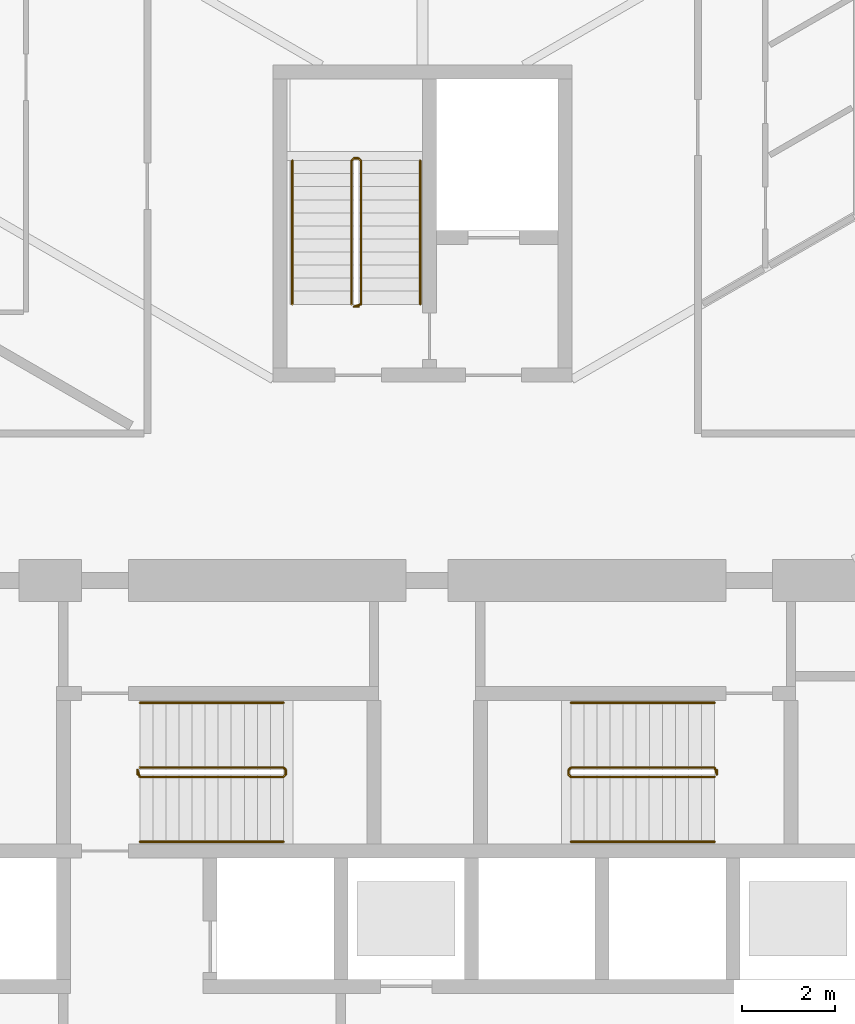
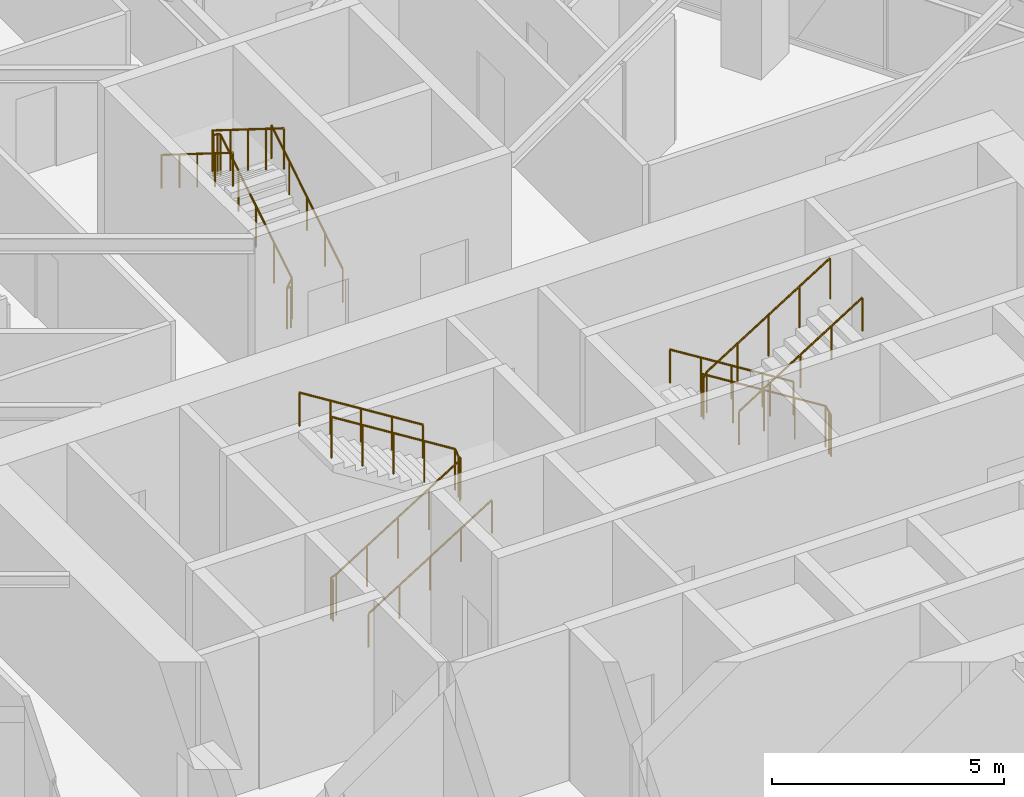
# One storey, part 22 of 23: 9 railings.
"""IFC4 building model written with IfcOpenShell, lengths in metres."""

import ifcopenshell
import ifcopenshell.guid

model = None  # the IFC model being written
_history = None  # IfcOwnerHistory: only IFC2X3 demands one
_inside = {}  # id of a spatial element -> (the spatial element, [elements in it])
_under = {}  # id of a project, library or spatial element -> (it, [spatial elements below it])
_declared = {}  # id of a project -> (the project, [libraries it declares])
_typed = {}  # id of a type object -> (the type object, [elements of that type])
_made_of = {}  # id of a material, layer set ... -> (it, [elements and type objects made of it])


def new_model(schema):
    """Start an empty IFC model of exactly this schema.

    Asked for "IFC4X3", IfcOpenShell would pick the latest addendum, in which some entities
    have other attributes; the version numbers below select the first issue.
    IFC2X3 requires an IfcOwnerHistory on every rooted entity: one is made here for all.
    """
    global model, _history
    if schema == "IFC4X3":
        model = ifcopenshell.file(schema_version=(4, 3, 0, 0))
    else:
        model = ifcopenshell.file(schema=schema)
    _inside.clear()
    _under.clear()
    _declared.clear()
    _typed.clear()
    _made_of.clear()
    _history = None
    if model.schema == "IFC2X3":
        org = make("IfcOrganization", Name="unknown")
        user = make(
            "IfcPersonAndOrganization",
            ThePerson=make("IfcPerson", FamilyName="unknown"),
            TheOrganization=org,
        )
        app = make(
            "IfcApplication",
            ApplicationDeveloper=org,
            Version="unknown",
            ApplicationFullName="unknown",
            ApplicationIdentifier="unknown",
        )
        _history = make(
            "IfcOwnerHistory",
            OwningUser=user,
            OwningApplication=app,
            ChangeAction="ADDED",
            CreationDate=0,
        )
    return model


def make(cls, **values):
    """One entity of the class cls with the attributes given. An attribute that is None is left unset."""
    return model.create_entity(
        cls, **{name: value for name, value in values.items() if value is not None}
    )


def rooted(cls, **values):
    """An entity with a GlobalId (a new one), such as an element, a storey or a relation."""
    return make(cls, GlobalId=ifcopenshell.guid.new(), OwnerHistory=_history, **values)


def si_unit(unit_type, name, prefix=None):
    """IfcSIUnit, for example si_unit("LENGTHUNIT", "METRE", prefix="MILLI")."""
    return make("IfcSIUnit", UnitType=unit_type, Prefix=prefix, Name=name)


def assignment(units):
    """IfcUnitAssignment: the units of a project."""
    return None if units is None else make("IfcUnitAssignment", Units=units)


def point(xyz):
    """IfcCartesianPoint."""
    return None if xyz is None else make("IfcCartesianPoint", Coordinates=xyz)


def direction(xyz):
    """IfcDirection."""
    return None if xyz is None else make("IfcDirection", DirectionRatios=xyz)


def frame(location, z_axis=None, x_axis=None):
    """IfcAxis2Placement3D, a coordinate frame: its origin and axes. An axis left out is left unset."""
    return make(
        "IfcAxis2Placement3D",
        Location=point(location),
        Axis=direction(z_axis),
        RefDirection=direction(x_axis),
    )


def frame_2d(location, x_axis=None):
    """IfcAxis2Placement2D, a coordinate frame in the plane: its origin and x axis."""
    return make(
        "IfcAxis2Placement2D", Location=point(location), RefDirection=direction(x_axis)
    )


def origin():
    """The frame at (0, 0, 0) with its axes left unset."""
    return frame((0.0, 0.0, 0.0))


def origin_2d():
    """The frame at (0, 0) in the plane with its x axis left unset."""
    return frame_2d((0.0, 0.0))


def place(relative_to, where):
    """IfcLocalPlacement: puts the frame where relative to a parent placement (None: the world)."""
    return make(
        "IfcLocalPlacement", PlacementRelTo=relative_to, RelativePlacement=where
    )


def context(
    kind, dimensions, precision=None, world=None, true_north=None, identifier=None
):
    """IfcGeometricRepresentationContext, for example the 3D "Model" context."""
    return make(
        "IfcGeometricRepresentationContext",
        ContextIdentifier=identifier,
        ContextType=kind,
        CoordinateSpaceDimension=dimensions,
        Precision=precision,
        WorldCoordinateSystem=world,
        TrueNorth=true_north,
    )


def subcontext(parent, identifier, kind, view, scale=None):
    """IfcGeometricRepresentationSubContext, for example "Body" below "Model"."""
    return make(
        "IfcGeometricRepresentationSubContext",
        ContextIdentifier=identifier,
        ContextType=kind,
        ParentContext=parent,
        TargetScale=scale,
        TargetView=view,
    )


def project(units=None, contexts=None):
    """IfcProject with its units and contexts."""
    return rooted(
        "IfcProject",
        Name="project",
        RepresentationContexts=contexts,
        UnitsInContext=assignment(units),
    )


def spatial(cls, under=None, at=None, **own):
    """A site, building, storey or space (cls), placed at a placement, below another one or the project."""
    s = rooted(cls, ObjectPlacement=at, **own)
    if under is not None:
        _under.setdefault(under.id(), (under, []))[1].append(s)
    return s


def profile(cls, at=None, kind="AREA", **sizes):
    """A parametric profile (cls). Its sizes go by their IFC names, for example OverallWidth=200.0."""
    return make(cls, ProfileType=kind, Position=at, **sizes)


def circle(**sizes):
    """IfcCircleProfileDef."""
    return profile("IfcCircleProfileDef", **sizes)


def extrude(swept, where, along, depth):
    """IfcExtrudedAreaSolid: the profile swept, set in the frame where, extruded along a direction by depth."""
    return make(
        "IfcExtrudedAreaSolid",
        SweptArea=swept,
        Position=where,
        ExtrudedDirection=direction(along),
        Depth=depth,
    )


def shape(context_of_items, identifier, shape_type, items):
    """IfcShapeRepresentation: the items that make up one representation, for example the "Body"."""
    return make(
        "IfcShapeRepresentation",
        ContextOfItems=context_of_items,
        RepresentationIdentifier=identifier,
        RepresentationType=shape_type,
        Items=items,
    )


def material(Name=None, Category=None):
    """IfcMaterial."""
    return make("IfcMaterial", Name=Name, Category=Category)


def made_of(thing, what):
    """Note that an element or type object is made of a material, layer set ...; save() writes the relation."""
    if what is not None:
        _made_of.setdefault(what.id(), (what, []))[1].append(thing)
    return thing


def type_object(cls, material=None, **own):
    """A type object (cls), such as IfcWallType, which elements share."""
    return made_of(rooted(cls, **own), material)


def element(
    cls,
    number,
    at=None,
    inside=None,
    cuts=None,
    type_object=None,
    material=None,
    context=None,
    identifier="Body",
    shape_type=None,
    held_by="IfcProductDefinitionShape",
    body=None,
    shapes=None,
    **own,
):
    """One element of the class cls, such as IfcWall. Its Tag is "e" and its number.

    at: its placement. inside: the storey or other place that contains it. cuts: it is an
    opening in that element (IfcRelVoidsElement). A single representation is given by context,
    identifier, shape_type and body (its items); several are given by shapes. held_by: the class
    of the entity that holds the representations. save() writes the other relations.
    """
    e = rooted(cls, Tag="e%d" % number, ObjectPlacement=at, **own)
    if body is not None:
        shapes = [shape(context, identifier, shape_type, body)]
    if shapes is not None:
        e.Representation = make(held_by, Representations=shapes)
    if inside is not None:
        _inside.setdefault(inside.id(), (inside, []))[1].append(e)
    if cuts is not None:
        rooted(
            "IfcRelVoidsElement", RelatingBuildingElement=cuts, RelatedOpeningElement=e
        )
    if type_object is not None:
        _typed.setdefault(type_object.id(), (type_object, []))[1].append(e)
    return made_of(e, material)


def aggregate(whole, parts):
    """IfcRelAggregates: a whole, such as a stair, and the parts it consists of."""
    return rooted("IfcRelAggregates", RelatingObject=whole, RelatedObjects=parts)


def save(model, path):
    """Write the relations noted so far, then the file.

    IfcRelAggregates (storeys below a building ...), IfcRelContainedInSpatialStructure (elements
    in a storey), IfcRelDefinesByType, IfcRelAssociatesMaterial and IfcRelDeclares: one each for
    every whole, place, type object, material and project.
    """
    for whole, parts in _under.values():
        aggregate(whole, parts)
    for where, things in _inside.values():
        rooted(
            "IfcRelContainedInSpatialStructure",
            RelatedElements=things,
            RelatingStructure=where,
        )
    for kind, things in _typed.values():
        rooted("IfcRelDefinesByType", RelatedObjects=things, RelatingType=kind)
    for what, things in _made_of.values():
        rooted("IfcRelAssociatesMaterial", RelatedObjects=things, RelatingMaterial=what)
    for by, libraries in _declared.values():
        rooted("IfcRelDeclares", RelatingContext=by, RelatedDefinitions=libraries)
    model.write(path)


model = new_model("IFC4")

# Units and contexts
model_context = context("Model", 3, precision=1e-05, world=origin(), true_north=direction((0.0, 1.0)))
body_context = subcontext(model_context, "Body", "Model", "MODEL_VIEW")
ifc_project = project(units=[si_unit("LENGTHUNIT", "METRE"), si_unit("AREAUNIT", "SQUARE_METRE"), si_unit("VOLUMEUNIT", "CUBIC_METRE"), si_unit("PLANEANGLEUNIT", "RADIAN"), si_unit("MASSUNIT", "GRAM", prefix="KILO")], contexts=[model_context])

# Site, building, storey
site_placement = place(None, origin())
site = spatial("IfcSite", under=ifc_project, at=site_placement, CompositionType="ELEMENT")
building_placement = place(site_placement, origin())
building = spatial("IfcBuilding", under=site, at=building_placement, Name="Firuza Gate Tower and Library", CompositionType="ELEMENT")
storey_placement = place(building_placement, frame((0.0, 0.0, 56.800048828125)))
storey = spatial("IfcBuildingStorey", under=building, at=storey_placement, Name="L12", CompositionType="ELEMENT", Elevation=56.800048828125)

# Railings
ifc_material_1 = material(Name="Steel S355", Category="steel")
railing_type_1 = type_object("IfcRailingType", Name="Stair guard 1100", PredefinedType="GUARDRAIL", material=ifc_material_1)
railing_1_placement = place(storey_placement, frame((68.889892578125, 79.389892578125, 0.0)))
element("IfcRailing", 1, at=railing_1_placement, inside=storey, type_object=railing_type_1, Name="L12 ST1 stair guard 1", PredefinedType="GUARDRAIL", context=body_context, shape_type="SweptSolid", body=[
    extrude(circle(Radius=0.02392578125, at=origin_2d()), frame((0.0, 0.0, 1.076171875), z_axis=(0.0, 1.0, 0.0), x_axis=(-1.0, 0.0, 0.0)), (0.0, 0.0, 1.0), 0.10009765625),
    extrude(circle(Radius=0.02392578125, at=origin_2d()), frame((0.0, 0.10009765625, 1.076171875), z_axis=(0.21222055169, -0.635626432867, 0.742254319813), x_axis=(0.948528701346, 0.316691178788, 0.0)), (0.0, 0.0, 1.0), 0.23583984375),
    extrude(circle(Radius=0.02392578125, at=origin_2d()), frame((0.050048828125, -0.0498046875, 1.2509765625), z_axis=(0.848028513186, 0.0, 0.529950602248), x_axis=(0.0, 1.0, 0.0)), (0.0, 0.0, 1.0), 3.632080078125),
    extrude(circle(Radius=0.02392578125, at=origin_2d()), frame((3.130126953125, -0.0498046875, 3.17578125), z_axis=(0.708833529934, 0.705375805398, 0.0), x_axis=(-0.705375805398, 0.708833529934, 0.0)), (0.0, 0.0, 1.0), 0.070556640625),
    extrude(circle(Radius=0.02392578125, at=origin_2d()), frame((3.18017578125, 0.0, 3.17578125), z_axis=(0.0, 1.0, 0.0), x_axis=(-1.0, 0.0, 0.0)), (0.0, 0.0, 1.0), 0.10009765625),
    extrude(circle(Radius=0.02392578125, at=origin_2d()), frame((3.18017578125, 0.10009765625, 3.17578125), z_axis=(-0.265065253269, 0.265065253269, 0.927081885822), x_axis=(-0.707106781187, -0.707106781187, 0.0)), (0.0, 0.0, 1.0), 0.188720703125),
    extrude(circle(Radius=0.02392578125, at=origin_2d()), frame((3.130126953125, 0.150146484375, 3.35107421875), z_axis=(-0.847998304005, 0.0, 0.529998940003), x_axis=(0.0, -1.0, 0.0)), (0.0, 0.0, 1.0), 3.632080078125),
    extrude(circle(Radius=0.02099609375, at=origin_2d()), origin(), (0.0, 0.0, 1.0), 1.052001953125),
    extrude(circle(Radius=0.02099609375, at=origin_2d()), frame((0.0, 0.10009765625, 0.0)), (0.0, 0.0, 1.0), 1.052001953125),
    extrude(circle(Radius=0.02099609375, at=origin_2d()), frame((0.050048828125, -0.0498046875, 0.175048828125)), (0.0, 0.0, 1.0), 1.052001953125),
    extrude(circle(Radius=0.02099609375, at=origin_2d()), frame((0.820068359375, -0.0498046875, 0.65625)), (0.0, 0.0, 1.0), 1.052001953125),
    extrude(circle(Radius=0.02099609375, at=origin_2d()), frame((1.590087890625, -0.0498046875, 1.137451171875)), (0.0, 0.0, 1.0), 1.052001953125),
    extrude(circle(Radius=0.02099609375, at=origin_2d()), frame((2.360107421875, -0.0498046875, 1.61865234375)), (0.0, 0.0, 1.0), 1.052001953125),
    extrude(circle(Radius=0.02099609375, at=origin_2d()), frame((3.130126953125, -0.0498046875, 2.099853515625)), (0.0, 0.0, 1.0), 1.052001953125),
    extrude(circle(Radius=0.02099609375, at=origin_2d()), frame((3.18017578125, 0.0, 2.099853515625)), (0.0, 0.0, 1.0), 1.052001953125),
    extrude(circle(Radius=0.02099609375, at=origin_2d()), frame((3.18017578125, 0.10009765625, 2.099853515625)), (0.0, 0.0, 1.0), 1.052001953125),
    extrude(circle(Radius=0.02099609375, at=origin_2d()), frame((3.130126953125, 0.150146484375, 2.27490234375)), (0.0, 0.0, 1.0), 1.052001953125),
    extrude(circle(Radius=0.02099609375, at=origin_2d()), frame((2.360107421875, 0.150146484375, 2.756103515625)), (0.0, 0.0, 1.0), 1.052001953125),
    extrude(circle(Radius=0.02099609375, at=origin_2d()), frame((1.590087890625, 0.150146484375, 3.2373046875)), (0.0, 0.0, 1.0), 1.052001953125),
    extrude(circle(Radius=0.02099609375, at=origin_2d()), frame((0.820068359375, 0.150146484375, 3.71875)), (0.0, 0.0, 1.0), 1.052001953125),
    extrude(circle(Radius=0.02099609375, at=origin_2d()), frame((0.050048828125, 0.150146484375, 4.199951171875)), (0.0, 0.0, 1.0), 1.052001953125),
])
railing_2_placement = place(storey_placement, frame((81.31005859375, 79.489990234375, 0.0)))
element("IfcRailing", 2, at=railing_2_placement, inside=storey, type_object=railing_type_1, Name="L12 ST2 stair guard 1", PredefinedType="GUARDRAIL", context=body_context, shape_type="SweptSolid", body=[
    extrude(circle(Radius=0.02392578125, at=origin_2d()), frame((0.0, 0.0, 1.076171875), z_axis=(0.0, -1.0, 0.0), x_axis=(1.0, 0.0, 0.0)), (0.0, 0.0, 1.0), 0.10009765625),
    extrude(circle(Radius=0.02392578125, at=origin_2d()), frame((0.0, -0.10009765625, 1.076171875), z_axis=(-0.212080931658, 0.636242794973, 0.741765990237), x_axis=(-0.948683298051, -0.316227766017, 0.0)), (0.0, 0.0, 1.0), 0.236083984375),
    extrude(circle(Radius=0.02392578125, at=origin_2d()), frame((-0.050048828125, 0.050048828125, 1.2509765625), z_axis=(-0.848028513186, 0.0, 0.529950602248), x_axis=(0.0, -1.0, 0.0)), (0.0, 0.0, 1.0), 3.632080078125),
    extrude(circle(Radius=0.02392578125, at=origin_2d()), frame((-3.130126953125, 0.050048828125, 3.17578125), z_axis=(-0.707106781187, -0.707106781187, 0.0), x_axis=(0.707106781187, -0.707106781187, 0.0)), (0.0, 0.0, 1.0), 0.07080078125),
    extrude(circle(Radius=0.02392578125, at=origin_2d()), frame((-3.18017578125, 0.0, 3.17578125), z_axis=(0.0, -1.0, 0.0), x_axis=(1.0, 0.0, 0.0)), (0.0, 0.0, 1.0), 0.10009765625),
    extrude(circle(Radius=0.02392578125, at=origin_2d()), frame((-3.18017578125, -0.10009765625, 3.17578125), z_axis=(0.265155923931, -0.263862480399, 0.927399011991), x_axis=(0.705375805398, 0.708833529934, 0.0)), (0.0, 0.0, 1.0), 0.188720703125),
    extrude(circle(Radius=0.02392578125, at=origin_2d()), frame((-3.130126953125, -0.14990234375, 3.35107421875), z_axis=(0.847998304005, 0.0, 0.529998940003), x_axis=(0.0, 1.0, 0.0)), (0.0, 0.0, 1.0), 3.632080078125),
    extrude(circle(Radius=0.02099609375, at=origin_2d()), origin(), (0.0, 0.0, 1.0), 1.052001953125),
    extrude(circle(Radius=0.02099609375, at=origin_2d()), frame((0.0, -0.10009765625, 0.0)), (0.0, 0.0, 1.0), 1.052001953125),
    extrude(circle(Radius=0.02099609375, at=origin_2d()), frame((-0.050048828125, 0.050048828125, 0.175048828125)), (0.0, 0.0, 1.0), 1.052001953125),
    extrude(circle(Radius=0.02099609375, at=origin_2d()), frame((-0.820068359375, 0.050048828125, 0.65625)), (0.0, 0.0, 1.0), 1.052001953125),
    extrude(circle(Radius=0.02099609375, at=origin_2d()), frame((-1.590087890625, 0.050048828125, 1.137451171875)), (0.0, 0.0, 1.0), 1.052001953125),
    extrude(circle(Radius=0.02099609375, at=origin_2d()), frame((-2.360107421875, 0.050048828125, 1.61865234375)), (0.0, 0.0, 1.0), 1.052001953125),
    extrude(circle(Radius=0.02099609375, at=origin_2d()), frame((-3.130126953125, 0.050048828125, 2.099853515625)), (0.0, 0.0, 1.0), 1.052001953125),
    extrude(circle(Radius=0.02099609375, at=origin_2d()), frame((-3.18017578125, 0.0, 2.099853515625)), (0.0, 0.0, 1.0), 1.052001953125),
    extrude(circle(Radius=0.02099609375, at=origin_2d()), frame((-3.18017578125, -0.10009765625, 2.099853515625)), (0.0, 0.0, 1.0), 1.052001953125),
    extrude(circle(Radius=0.02099609375, at=origin_2d()), frame((-3.130126953125, -0.14990234375, 2.27490234375)), (0.0, 0.0, 1.0), 1.052001953125),
    extrude(circle(Radius=0.02099609375, at=origin_2d()), frame((-2.360107421875, -0.14990234375, 2.756103515625)), (0.0, 0.0, 1.0), 1.052001953125),
    extrude(circle(Radius=0.02099609375, at=origin_2d()), frame((-1.590087890625, -0.14990234375, 3.2373046875)), (0.0, 0.0, 1.0), 1.052001953125),
    extrude(circle(Radius=0.02099609375, at=origin_2d()), frame((-0.820068359375, -0.14990234375, 3.71875)), (0.0, 0.0, 1.0), 1.052001953125),
    extrude(circle(Radius=0.02099609375, at=origin_2d()), frame((-0.050048828125, -0.14990234375, 4.199951171875)), (0.0, 0.0, 1.0), 1.052001953125),
])
railing_3_placement = place(storey_placement, frame((73.6298828125, 89.419921875, 0.0)))
element("IfcRailing", 3, at=railing_3_placement, inside=storey, type_object=railing_type_1, Name="L12 ST3 stair guard 1", PredefinedType="GUARDRAIL", context=body_context, shape_type="SweptSolid", body=[
    extrude(circle(Radius=0.02392578125, at=origin_2d()), frame((0.0, 0.0, 1.076171875), z_axis=(-1.0, 0.0, 0.0), x_axis=(0.0, -1.0, 0.0)), (0.0, 0.0, 1.0), 0.099853515625),
    extrude(circle(Radius=0.02392578125, at=origin_2d()), frame((-0.099853515625, 0.0, 1.076171875), z_axis=(0.635626432867, 0.21222055169, 0.742254319813), x_axis=(-0.316691178788, 0.948528701346, 0.0)), (0.0, 0.0, 1.0), 0.23583984375),
    extrude(circle(Radius=0.02392578125, at=origin_2d()), frame((0.050048828125, 0.050048828125, 1.2509765625), z_axis=(0.0, 0.848028513186, 0.529950602248), x_axis=(-1.0, 0.0, 0.0)), (0.0, 0.0, 1.0), 3.632080078125),
    extrude(circle(Radius=0.02392578125, at=origin_2d()), frame((0.050048828125, 3.130126953125, 3.17578125), z_axis=(-0.707106781187, 0.707106781187, 0.0), x_axis=(-0.707106781187, -0.707106781187, 0.0)), (0.0, 0.0, 1.0), 0.07080078125),
    extrude(circle(Radius=0.02392578125, at=origin_2d()), frame((0.0, 3.18017578125, 3.17578125), z_axis=(-1.0, 0.0, 0.0), x_axis=(0.0, -1.0, 0.0)), (0.0, 0.0, 1.0), 0.099853515625),
    extrude(circle(Radius=0.02392578125, at=origin_2d()), frame((-0.099853515625, 3.18017578125, 3.17578125), z_axis=(-0.265065253269, -0.265065253269, 0.927081885822), x_axis=(0.707106781187, -0.707106781187, 0.0)), (0.0, 0.0, 1.0), 0.188720703125),
    extrude(circle(Radius=0.02392578125, at=origin_2d()), frame((-0.14990234375, 3.130126953125, 3.35107421875), z_axis=(0.0, -0.847998304005, 0.529998940003), x_axis=(1.0, 0.0, 0.0)), (0.0, 0.0, 1.0), 3.632080078125),
    extrude(circle(Radius=0.02099609375, at=origin_2d()), origin(), (0.0, 0.0, 1.0), 1.052001953125),
    extrude(circle(Radius=0.02099609375, at=origin_2d()), frame((-0.099853515625, 0.0, 0.0)), (0.0, 0.0, 1.0), 1.052001953125),
    extrude(circle(Radius=0.02099609375, at=origin_2d()), frame((0.050048828125, 0.050048828125, 0.175048828125)), (0.0, 0.0, 1.0), 1.052001953125),
    extrude(circle(Radius=0.02099609375, at=origin_2d()), frame((0.050048828125, 0.820068359375, 0.65625)), (0.0, 0.0, 1.0), 1.052001953125),
    extrude(circle(Radius=0.02099609375, at=origin_2d()), frame((0.050048828125, 1.590087890625, 1.137451171875)), (0.0, 0.0, 1.0), 1.052001953125),
    extrude(circle(Radius=0.02099609375, at=origin_2d()), frame((0.050048828125, 2.360107421875, 1.61865234375)), (0.0, 0.0, 1.0), 1.052001953125),
    extrude(circle(Radius=0.02099609375, at=origin_2d()), frame((0.050048828125, 3.130126953125, 2.099853515625)), (0.0, 0.0, 1.0), 1.052001953125),
    extrude(circle(Radius=0.02099609375, at=origin_2d()), frame((0.0, 3.18017578125, 2.099853515625)), (0.0, 0.0, 1.0), 1.052001953125),
    extrude(circle(Radius=0.02099609375, at=origin_2d()), frame((-0.099853515625, 3.18017578125, 2.099853515625)), (0.0, 0.0, 1.0), 1.052001953125),
    extrude(circle(Radius=0.02099609375, at=origin_2d()), frame((-0.14990234375, 3.130126953125, 2.27490234375)), (0.0, 0.0, 1.0), 1.052001953125),
    extrude(circle(Radius=0.02099609375, at=origin_2d()), frame((-0.14990234375, 2.360107421875, 2.756103515625)), (0.0, 0.0, 1.0), 1.052001953125),
    extrude(circle(Radius=0.02099609375, at=origin_2d()), frame((-0.14990234375, 1.590087890625, 3.2373046875)), (0.0, 0.0, 1.0), 1.052001953125),
    extrude(circle(Radius=0.02099609375, at=origin_2d()), frame((-0.14990234375, 0.820068359375, 3.71875)), (0.0, 0.0, 1.0), 1.052001953125),
    extrude(circle(Radius=0.02099609375, at=origin_2d()), frame((-0.14990234375, 0.050048828125, 4.199951171875)), (0.0, 0.0, 1.0), 1.052001953125),
])
ifc_material_2 = material(Name="Steel S355", Category="steel")
railing_type_2 = type_object("IfcRailingType", Name="Stair handrail 900", PredefinedType="HANDRAIL", material=ifc_material_2)
railing_4_placement = place(storey_placement, frame((68.93994140625, 77.949951171875, 0.175048828125)))
element("IfcRailing", 4, at=railing_4_placement, inside=storey, type_object=railing_type_2, Name="L12 ST1 stair handrail 1", PredefinedType="HANDRAIL", context=body_context, shape_type="SweptSolid", body=[
    extrude(circle(Radius=0.02392578125, at=origin_2d()), frame((0.0, 0.0, 0.8759765625), z_axis=(0.848028513186, 0.0, 0.529950602248), x_axis=(0.0, 1.0, 0.0)), (0.0, 0.0, 1.0), 3.632080078125),
    extrude(circle(Radius=0.02099609375, at=origin_2d()), origin(), (0.0, 0.0, 1.0), 0.851806640625),
    extrude(circle(Radius=0.02099609375, at=origin_2d()), frame((0.77001953125, 0.0, 0.481201171875)), (0.0, 0.0, 1.0), 0.851806640625),
    extrude(circle(Radius=0.02099609375, at=origin_2d()), frame((1.5400390625, 0.0, 0.96240234375)), (0.0, 0.0, 1.0), 0.851806640625),
    extrude(circle(Radius=0.02099609375, at=origin_2d()), frame((2.31005859375, 0.0, 1.443603515625)), (0.0, 0.0, 1.0), 0.851806640625),
    extrude(circle(Radius=0.02099609375, at=origin_2d()), frame((3.080078125, 0.0, 1.9248046875)), (0.0, 0.0, 1.0), 0.851806640625),
])
railing_5_placement = place(storey_placement, frame((72.02001953125, 80.929931640625, 2.27490234375)))
element("IfcRailing", 5, at=railing_5_placement, inside=storey, type_object=railing_type_2, Name="L12 ST1 stair handrail 2", PredefinedType="HANDRAIL", context=body_context, shape_type="SweptSolid", body=[
    extrude(circle(Radius=0.02392578125, at=origin_2d()), frame((0.0, 0.0, 0.8759765625), z_axis=(-0.847998304005, 0.0, 0.529998940003), x_axis=(0.0, -1.0, 0.0)), (0.0, 0.0, 1.0), 3.632080078125),
    extrude(circle(Radius=0.02099609375, at=origin_2d()), origin(), (0.0, 0.0, 1.0), 0.851806640625),
    extrude(circle(Radius=0.02099609375, at=origin_2d()), frame((-0.77001953125, 0.0, 0.481201171875)), (0.0, 0.0, 1.0), 0.851806640625),
    extrude(circle(Radius=0.02099609375, at=origin_2d()), frame((-1.5400390625, 0.0, 0.96240234375)), (0.0, 0.0, 1.0), 0.851806640625),
    extrude(circle(Radius=0.02099609375, at=origin_2d()), frame((-2.31005859375, 0.0, 1.44384765625)), (0.0, 0.0, 1.0), 0.851806640625),
    extrude(circle(Radius=0.02099609375, at=origin_2d()), frame((-3.080078125, 0.0, 1.925048828125)), (0.0, 0.0, 1.0), 0.851806640625),
])
railing_6_placement = place(storey_placement, frame((81.260009765625, 80.929931640625, 0.175048828125)))
element("IfcRailing", 6, at=railing_6_placement, inside=storey, type_object=railing_type_2, Name="L12 ST2 stair handrail 1", PredefinedType="HANDRAIL", context=body_context, shape_type="SweptSolid", body=[
    extrude(circle(Radius=0.02392578125, at=origin_2d()), frame((0.0, 0.0, 0.8759765625), z_axis=(-0.848028513186, 0.0, 0.529950602248), x_axis=(0.0, -1.0, 0.0)), (0.0, 0.0, 1.0), 3.632080078125),
    extrude(circle(Radius=0.02099609375, at=origin_2d()), origin(), (0.0, 0.0, 1.0), 0.851806640625),
    extrude(circle(Radius=0.02099609375, at=origin_2d()), frame((-0.77001953125, 0.0, 0.481201171875)), (0.0, 0.0, 1.0), 0.851806640625),
    extrude(circle(Radius=0.02099609375, at=origin_2d()), frame((-1.5400390625, 0.0, 0.96240234375)), (0.0, 0.0, 1.0), 0.851806640625),
    extrude(circle(Radius=0.02099609375, at=origin_2d()), frame((-2.31005859375, 0.0, 1.443603515625)), (0.0, 0.0, 1.0), 0.851806640625),
    extrude(circle(Radius=0.02099609375, at=origin_2d()), frame((-3.080078125, 0.0, 1.9248046875)), (0.0, 0.0, 1.0), 0.851806640625),
])
railing_7_placement = place(storey_placement, frame((78.179931640625, 77.949951171875, 2.27490234375)))
element("IfcRailing", 7, at=railing_7_placement, inside=storey, type_object=railing_type_2, Name="L12 ST2 stair handrail 2", PredefinedType="HANDRAIL", context=body_context, shape_type="SweptSolid", body=[
    extrude(circle(Radius=0.02392578125, at=origin_2d()), frame((0.0, 0.0, 0.8759765625), z_axis=(0.847998304005, 0.0, 0.529998940003), x_axis=(0.0, 1.0, 0.0)), (0.0, 0.0, 1.0), 3.632080078125),
    extrude(circle(Radius=0.02099609375, at=origin_2d()), origin(), (0.0, 0.0, 1.0), 0.851806640625),
    extrude(circle(Radius=0.02099609375, at=origin_2d()), frame((0.77001953125, 0.0, 0.481201171875)), (0.0, 0.0, 1.0), 0.851806640625),
    extrude(circle(Radius=0.02099609375, at=origin_2d()), frame((1.5400390625, 0.0, 0.96240234375)), (0.0, 0.0, 1.0), 0.851806640625),
    extrude(circle(Radius=0.02099609375, at=origin_2d()), frame((2.31005859375, 0.0, 1.44384765625)), (0.0, 0.0, 1.0), 0.851806640625),
    extrude(circle(Radius=0.02099609375, at=origin_2d()), frame((3.080078125, 0.0, 1.925048828125)), (0.0, 0.0, 1.0), 0.851806640625),
])
railing_8_placement = place(storey_placement, frame((74.949951171875, 89.469970703125, 0.175048828125)))
element("IfcRailing", 8, at=railing_8_placement, inside=storey, type_object=railing_type_2, Name="L12 ST3 stair handrail 1", PredefinedType="HANDRAIL", context=body_context, shape_type="SweptSolid", body=[
    extrude(circle(Radius=0.02392578125, at=origin_2d()), frame((0.0, 0.0, 0.8759765625), z_axis=(0.0, 0.848028513186, 0.529950602248), x_axis=(-1.0, 0.0, 0.0)), (0.0, 0.0, 1.0), 3.632080078125),
    extrude(circle(Radius=0.02099609375, at=origin_2d()), origin(), (0.0, 0.0, 1.0), 0.851806640625),
    extrude(circle(Radius=0.02099609375, at=origin_2d()), frame((0.0, 0.77001953125, 0.481201171875)), (0.0, 0.0, 1.0), 0.851806640625),
    extrude(circle(Radius=0.02099609375, at=origin_2d()), frame((0.0, 1.5400390625, 0.96240234375)), (0.0, 0.0, 1.0), 0.851806640625),
    extrude(circle(Radius=0.02099609375, at=origin_2d()), frame((0.0, 2.31005859375, 1.443603515625)), (0.0, 0.0, 1.0), 0.851806640625),
    extrude(circle(Radius=0.02099609375, at=origin_2d()), frame((0.0, 3.080078125, 1.9248046875)), (0.0, 0.0, 1.0), 0.851806640625),
])
railing_9_placement = place(storey_placement, frame((72.2099609375, 92.550048828125, 2.27490234375)))
element("IfcRailing", 9, at=railing_9_placement, inside=storey, type_object=railing_type_2, Name="L12 ST3 stair handrail 2", PredefinedType="HANDRAIL", context=body_context, shape_type="SweptSolid", body=[
    extrude(circle(Radius=0.02392578125, at=origin_2d()), frame((0.0, 0.0, 0.8759765625), z_axis=(0.0, -0.847998304005, 0.529998940003), x_axis=(1.0, 0.0, 0.0)), (0.0, 0.0, 1.0), 3.632080078125),
    extrude(circle(Radius=0.02099609375, at=origin_2d()), origin(), (0.0, 0.0, 1.0), 0.851806640625),
    extrude(circle(Radius=0.02099609375, at=origin_2d()), frame((0.0, -0.77001953125, 0.481201171875)), (0.0, 0.0, 1.0), 0.851806640625),
    extrude(circle(Radius=0.02099609375, at=origin_2d()), frame((0.0, -1.5400390625, 0.96240234375)), (0.0, 0.0, 1.0), 0.851806640625),
    extrude(circle(Radius=0.02099609375, at=origin_2d()), frame((0.0, -2.31005859375, 1.44384765625)), (0.0, 0.0, 1.0), 0.851806640625),
    extrude(circle(Radius=0.02099609375, at=origin_2d()), frame((0.0, -3.080078125, 1.925048828125)), (0.0, 0.0, 1.0), 0.851806640625),
])

save(model, "model.ifc")
